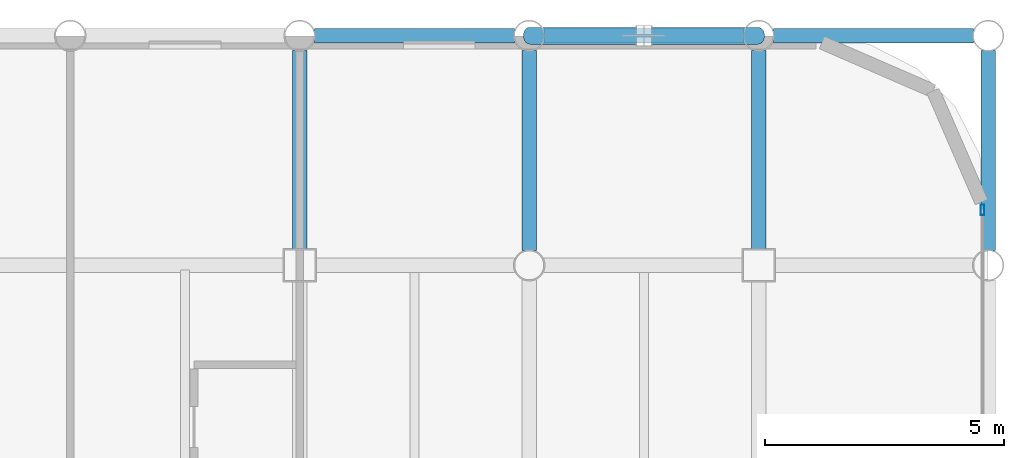
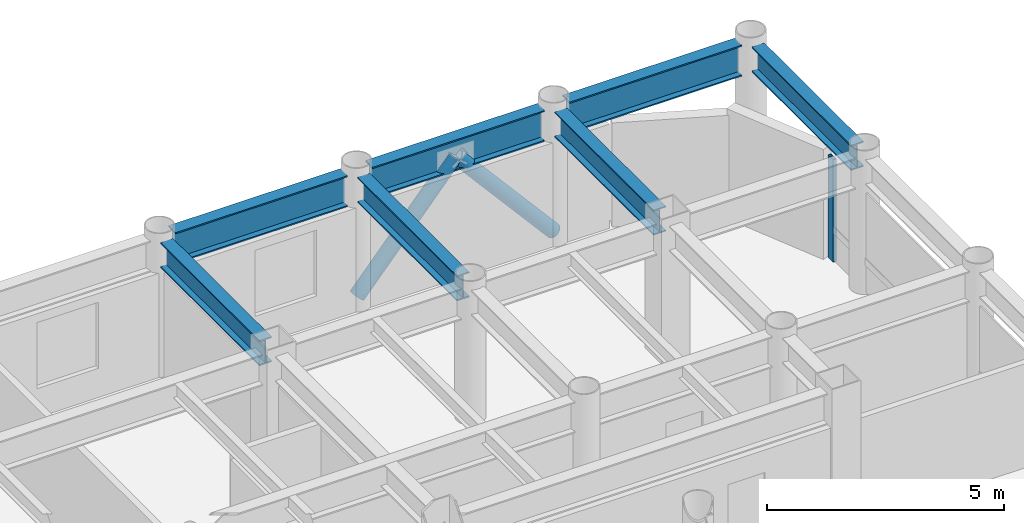
# One storey, part 14 of 20: 7 beams, 3 members, 1 element without a shape of its own.
"""IFC4 building model written with IfcOpenShell, lengths in metres."""

import ifcopenshell
import ifcopenshell.guid

model = None  # the IFC model being written
_history = None  # IfcOwnerHistory: only IFC2X3 demands one
_inside = {}  # id of a spatial element -> (the spatial element, [elements in it])
_under = {}  # id of a project, library or spatial element -> (it, [spatial elements below it])
_declared = {}  # id of a project -> (the project, [libraries it declares])
_typed = {}  # id of a type object -> (the type object, [elements of that type])
_made_of = {}  # id of a material, layer set ... -> (it, [elements and type objects made of it])


def new_model(schema):
    """Start an empty IFC model of exactly this schema.

    Asked for "IFC4X3", IfcOpenShell would pick the latest addendum, in which some entities
    have other attributes; the version numbers below select the first issue.
    IFC2X3 requires an IfcOwnerHistory on every rooted entity: one is made here for all.
    """
    global model, _history
    if schema == "IFC4X3":
        model = ifcopenshell.file(schema_version=(4, 3, 0, 0))
    else:
        model = ifcopenshell.file(schema=schema)
    _inside.clear()
    _under.clear()
    _declared.clear()
    _typed.clear()
    _made_of.clear()
    _history = None
    if model.schema == "IFC2X3":
        org = make("IfcOrganization", Name="unknown")
        user = make(
            "IfcPersonAndOrganization",
            ThePerson=make("IfcPerson", FamilyName="unknown"),
            TheOrganization=org,
        )
        app = make(
            "IfcApplication",
            ApplicationDeveloper=org,
            Version="unknown",
            ApplicationFullName="unknown",
            ApplicationIdentifier="unknown",
        )
        _history = make(
            "IfcOwnerHistory",
            OwningUser=user,
            OwningApplication=app,
            ChangeAction="ADDED",
            CreationDate=0,
        )
    return model


def make(cls, **values):
    """One entity of the class cls with the attributes given. An attribute that is None is left unset."""
    return model.create_entity(
        cls, **{name: value for name, value in values.items() if value is not None}
    )


def rooted(cls, **values):
    """An entity with a GlobalId (a new one), such as an element, a storey or a relation."""
    return make(cls, GlobalId=ifcopenshell.guid.new(), OwnerHistory=_history, **values)


def si_unit(unit_type, name, prefix=None):
    """IfcSIUnit, for example si_unit("LENGTHUNIT", "METRE", prefix="MILLI")."""
    return make("IfcSIUnit", UnitType=unit_type, Prefix=prefix, Name=name)


def assignment(units):
    """IfcUnitAssignment: the units of a project."""
    return None if units is None else make("IfcUnitAssignment", Units=units)


def point(xyz):
    """IfcCartesianPoint."""
    return None if xyz is None else make("IfcCartesianPoint", Coordinates=xyz)


def direction(xyz):
    """IfcDirection."""
    return None if xyz is None else make("IfcDirection", DirectionRatios=xyz)


def frame(location, z_axis=None, x_axis=None):
    """IfcAxis2Placement3D, a coordinate frame: its origin and axes. An axis left out is left unset."""
    return make(
        "IfcAxis2Placement3D",
        Location=point(location),
        Axis=direction(z_axis),
        RefDirection=direction(x_axis),
    )


def frame_2d(location, x_axis=None):
    """IfcAxis2Placement2D, a coordinate frame in the plane: its origin and x axis."""
    return make(
        "IfcAxis2Placement2D", Location=point(location), RefDirection=direction(x_axis)
    )


def origin():
    """The frame at (0, 0, 0) with its axes left unset."""
    return frame((0.0, 0.0, 0.0))


def origin_2d():
    """The frame at (0, 0) in the plane with its x axis left unset."""
    return frame_2d((0.0, 0.0))


def place(relative_to, where):
    """IfcLocalPlacement: puts the frame where relative to a parent placement (None: the world)."""
    return make(
        "IfcLocalPlacement", PlacementRelTo=relative_to, RelativePlacement=where
    )


def context(
    kind, dimensions, precision=None, world=None, true_north=None, identifier=None
):
    """IfcGeometricRepresentationContext, for example the 3D "Model" context."""
    return make(
        "IfcGeometricRepresentationContext",
        ContextIdentifier=identifier,
        ContextType=kind,
        CoordinateSpaceDimension=dimensions,
        Precision=precision,
        WorldCoordinateSystem=world,
        TrueNorth=true_north,
    )


def subcontext(parent, identifier, kind, view, scale=None):
    """IfcGeometricRepresentationSubContext, for example "Body" below "Model"."""
    return make(
        "IfcGeometricRepresentationSubContext",
        ContextIdentifier=identifier,
        ContextType=kind,
        ParentContext=parent,
        TargetScale=scale,
        TargetView=view,
    )


def project(units=None, contexts=None):
    """IfcProject with its units and contexts."""
    return rooted(
        "IfcProject",
        Name="project",
        RepresentationContexts=contexts,
        UnitsInContext=assignment(units),
    )


def spatial(cls, under=None, at=None, **own):
    """A site, building, storey or space (cls), placed at a placement, below another one or the project."""
    s = rooted(cls, ObjectPlacement=at, **own)
    if under is not None:
        _under.setdefault(under.id(), (under, []))[1].append(s)
    return s


def profile(cls, at=None, kind="AREA", **sizes):
    """A parametric profile (cls). Its sizes go by their IFC names, for example OverallWidth=200.0."""
    return make(cls, ProfileType=kind, Position=at, **sizes)


def hollow_rectangle(**sizes):
    """IfcRectangleHollowProfileDef."""
    return profile("IfcRectangleHollowProfileDef", **sizes)


def hollow_circle(**sizes):
    """IfcCircleHollowProfileDef."""
    return profile("IfcCircleHollowProfileDef", **sizes)


def i_section(**sizes):
    """IfcIShapeProfileDef."""
    return profile("IfcIShapeProfileDef", **sizes)


def extrude(swept, where, along, depth):
    """IfcExtrudedAreaSolid: the profile swept, set in the frame where, extruded along a direction by depth."""
    return make(
        "IfcExtrudedAreaSolid",
        SweptArea=swept,
        Position=where,
        ExtrudedDirection=direction(along),
        Depth=depth,
    )


def shape(context_of_items, identifier, shape_type, items):
    """IfcShapeRepresentation: the items that make up one representation, for example the "Body"."""
    return make(
        "IfcShapeRepresentation",
        ContextOfItems=context_of_items,
        RepresentationIdentifier=identifier,
        RepresentationType=shape_type,
        Items=items,
    )


def material(Name=None, Category=None):
    """IfcMaterial."""
    return make("IfcMaterial", Name=Name, Category=Category)


def layer(
    of_material, thickness, ventilated=None, Name=None, Category=None, Priority=None
):
    """IfcMaterialLayer: one layer of a wall or slab, of a material (None: an air gap)."""
    return make(
        "IfcMaterialLayer",
        Material=of_material,
        LayerThickness=thickness,
        IsVentilated=ventilated,
        Name=Name,
        Category=Category,
        Priority=Priority,
    )


def layer_set(layers, Name=None):
    """IfcMaterialLayerSet."""
    return make("IfcMaterialLayerSet", MaterialLayers=layers, LayerSetName=Name)


def material_profile(
    of_material, cross_section, Name=None, Category=None, Priority=None
):
    """IfcMaterialProfile: a cross section and its material."""
    return make(
        "IfcMaterialProfile",
        Name=Name,
        Material=of_material,
        Profile=cross_section,
        Priority=Priority,
        Category=Category,
    )


def profile_set(profiles, Name=None, composite=None):
    """IfcMaterialProfileSet."""
    return make(
        "IfcMaterialProfileSet",
        Name=Name,
        MaterialProfiles=profiles,
        CompositeProfile=composite,
    )


def made_of(thing, what):
    """Note that an element or type object is made of a material, layer set ...; save() writes the relation."""
    if what is not None:
        _made_of.setdefault(what.id(), (what, []))[1].append(thing)
    return thing


def type_object(cls, material=None, **own):
    """A type object (cls), such as IfcWallType, which elements share."""
    return made_of(rooted(cls, **own), material)


def element(
    cls,
    number,
    at=None,
    inside=None,
    cuts=None,
    type_object=None,
    material=None,
    context=None,
    identifier="Body",
    shape_type=None,
    held_by="IfcProductDefinitionShape",
    body=None,
    shapes=None,
    **own,
):
    """One element of the class cls, such as IfcWall. Its Tag is "e" and its number.

    at: its placement. inside: the storey or other place that contains it. cuts: it is an
    opening in that element (IfcRelVoidsElement). A single representation is given by context,
    identifier, shape_type and body (its items); several are given by shapes. held_by: the class
    of the entity that holds the representations. save() writes the other relations.
    """
    e = rooted(cls, Tag="e%d" % number, ObjectPlacement=at, **own)
    if body is not None:
        shapes = [shape(context, identifier, shape_type, body)]
    if shapes is not None:
        e.Representation = make(held_by, Representations=shapes)
    if inside is not None:
        _inside.setdefault(inside.id(), (inside, []))[1].append(e)
    if cuts is not None:
        rooted(
            "IfcRelVoidsElement", RelatingBuildingElement=cuts, RelatedOpeningElement=e
        )
    if type_object is not None:
        _typed.setdefault(type_object.id(), (type_object, []))[1].append(e)
    return made_of(e, material)


def aggregate(whole, parts):
    """IfcRelAggregates: a whole, such as a stair, and the parts it consists of."""
    return rooted("IfcRelAggregates", RelatingObject=whole, RelatedObjects=parts)


def save(model, path):
    """Write the relations noted so far, then the file.

    IfcRelAggregates (storeys below a building ...), IfcRelContainedInSpatialStructure (elements
    in a storey), IfcRelDefinesByType, IfcRelAssociatesMaterial and IfcRelDeclares: one each for
    every whole, place, type object, material and project.
    """
    for whole, parts in _under.values():
        aggregate(whole, parts)
    for where, things in _inside.values():
        rooted(
            "IfcRelContainedInSpatialStructure",
            RelatedElements=things,
            RelatingStructure=where,
        )
    for kind, things in _typed.values():
        rooted("IfcRelDefinesByType", RelatedObjects=things, RelatingType=kind)
    for what, things in _made_of.values():
        rooted("IfcRelAssociatesMaterial", RelatedObjects=things, RelatingMaterial=what)
    for by, libraries in _declared.values():
        rooted("IfcRelDeclares", RelatingContext=by, RelatedDefinitions=libraries)
    model.write(path)


model = new_model("IFC4")

# Units and contexts
model_context = context("Model", 3, precision=1e-05, world=origin(), true_north=direction((0.0, 1.0)))
body_context = subcontext(model_context, "Body", "Model", "MODEL_VIEW")
ifc_project = project(units=[si_unit("LENGTHUNIT", "METRE"), si_unit("AREAUNIT", "SQUARE_METRE"), si_unit("VOLUMEUNIT", "CUBIC_METRE"), si_unit("PLANEANGLEUNIT", "RADIAN"), si_unit("MASSUNIT", "GRAM", prefix="KILO")], contexts=[model_context])

# Site, building, storey
site_placement = place(None, origin())
site = spatial("IfcSite", under=ifc_project, at=site_placement, CompositionType="ELEMENT")
building_placement = place(site_placement, origin())
building = spatial("IfcBuilding", under=site, at=building_placement, Name="Kallvorn Hotel Tower", CompositionType="ELEMENT")
storey_placement = place(building_placement, frame((0.0, 0.0, 176.60009765625)))
storey = spatial("IfcBuildingStorey", under=building, at=storey_placement, Name="L44", CompositionType="ELEMENT", Elevation=176.60009765625)

# Beams
ifc_material_1 = material(Name="Structural steel S355JR", Category="steel")
ifc_material_profile_1 = material_profile(ifc_material_1, i_section(OverallWidth=0.300048828125, OverallDepth=0.64990234375, WebThickness=0.01611328125, FlangeThickness=0.031005859375, at=origin_2d()), Name="HE 650 B")
ifc_profile_set_1 = profile_set([ifc_material_profile_1], Name="Structural steel S355JR")
beam_type_1 = type_object("IfcBeamType", Name="BM_HE650B", PredefinedType="BEAM", material=ifc_profile_set_1)
beam_1_placement = place(storey_placement, frame((14.39990234375, 14.72509765625, 3.15478515625), z_axis=(0.0, 1.0, 0.0), x_axis=(-1.0, 0.0, 0.0)))
element("IfcBeam", 1, at=beam_1_placement, inside=storey, type_object=beam_type_1, Name="L45 Primary Y-Girder 126", PredefinedType="BEAM", context=body_context, shape_type="SweptSolid", body=[
    extrude(i_section(OverallWidth=0.300048828125, OverallDepth=0.64990234375, WebThickness=0.01611328125, FlangeThickness=0.031005859375, at=origin_2d()), origin(), (0.0, 0.0, 1.0), 4.169921875),
])
beam_2_placement = place(storey_placement, frame((19.199951171875, 14.705078125, 3.15478515625), z_axis=(0.0, 1.0, 0.0), x_axis=(-1.0, 0.0, 0.0)))
element("IfcBeam", 2, at=beam_2_placement, inside=storey, type_object=beam_type_1, Name="L45 Primary Y-Girder 135", PredefinedType="BEAM", context=body_context, shape_type="SweptSolid", body=[
    extrude(i_section(OverallWidth=0.300048828125, OverallDepth=0.64990234375, WebThickness=0.01611328125, FlangeThickness=0.031005859375, at=origin_2d()), origin(), (0.0, 0.0, 1.0), 4.18994140625),
])
beam_3_placement = place(storey_placement, frame((24.0, 14.72509765625, 3.15478515625), z_axis=(0.0, 1.0, 0.0), x_axis=(-1.0, 0.0, 0.0)))
element("IfcBeam", 3, at=beam_3_placement, inside=storey, type_object=beam_type_1, Name="L45 Primary Y-Girder 142", PredefinedType="BEAM", context=body_context, shape_type="SweptSolid", body=[
    extrude(i_section(OverallWidth=0.300048828125, OverallDepth=0.64990234375, WebThickness=0.01611328125, FlangeThickness=0.031005859375, at=origin_2d()), origin(), (0.0, 0.0, 1.0), 4.169921875),
])
beam_4_placement = place(storey_placement, frame((28.800048828125, 14.705078125, 3.15478515625), z_axis=(0.0, 1.0, 0.0), x_axis=(-1.0, 0.0, 0.0)))
element("IfcBeam", 4, at=beam_4_placement, inside=storey, type_object=beam_type_1, Name="L45 Primary Y-Girder 150", PredefinedType="BEAM", context=body_context, shape_type="SweptSolid", body=[
    extrude(i_section(OverallWidth=0.300048828125, OverallDepth=0.64990234375, WebThickness=0.01611328125, FlangeThickness=0.031005859375, at=origin_2d()), origin(), (0.0, 0.0, 1.0), 4.18994140625),
])
ifc_material_2 = material(Name="Structural steel S355JR", Category="steel")
ifc_material_profile_2 = material_profile(ifc_material_2, i_section(OverallWidth=0.300048828125, OverallDepth=0.800048828125, WebThickness=0.017578125, FlangeThickness=0.032958984375, at=origin_2d()), Name="HE 800 B")
ifc_profile_set_2 = profile_set([ifc_material_profile_2], Name="Structural steel S355JR")
beam_type_2 = type_object("IfcBeamType", Name="BM_HE800B", PredefinedType="BEAM", material=ifc_profile_set_2)
beam_5_placement = place(storey_placement, frame((14.705078125, 19.199951171875, 3.079833984375), z_axis=(1.0, 0.0, 0.0), x_axis=(0.0, 1.0, 0.0)))
element("IfcBeam", 5, at=beam_5_placement, inside=storey, type_object=beam_type_2, Name="L45 Primary X-Girder 70", PredefinedType="BEAM", context=body_context, shape_type="SweptSolid", body=[
    extrude(i_section(OverallWidth=0.300048828125, OverallDepth=0.800048828125, WebThickness=0.017578125, FlangeThickness=0.032958984375, at=origin_2d()), origin(), (0.0, 0.0, 1.0), 4.18994140625),
])
for number, where, z_axis, x_axis, name in (
    (6, (19.5048828125, 19.199951171875, 3.079833984375), (1.0, 0.0, 0.0), (0.0, 1.0, 0.0), "L45 Primary X-Girder 71"),
    (7, (24.304931640625, 19.199951171875, 3.079833984375), (1.0, 0.0, 0.0), (0.0, 1.0, 0.0), "L45 Primary X-Girder 72"),
):
    element("IfcBeam", number, at=place(storey_placement, frame(where, z_axis=z_axis, x_axis=x_axis)), inside=storey, type_object=beam_type_2, Name=name, PredefinedType="BEAM", context=body_context, shape_type="SweptSolid", body=[
        extrude(i_section(OverallWidth=0.300048828125, OverallDepth=0.800048828125, WebThickness=0.017578125, FlangeThickness=0.032958984375, at=origin_2d()), origin(), (0.0, 0.0, 1.0), 4.190185546875),
    ])

# Curtain wall, member
ifc_material_3 = material(Name="Thermally broken black-anodised aluminium AA 6063-T6", Category="aluminium")
ifc_layer = layer(ifc_material_3, 0.2099609375)
ifc_layer_set = layer_set([ifc_layer], Name="CW_SYS_4_HOTEL_MID")
curtain_wall_type = type_object("IfcCurtainWallType", Name="CW_SYS_4_HOTEL_MID", PredefinedType="USERDEFINED", material=ifc_layer_set)
curtain_wall_placement = place(storey_placement, origin())
curtain_wall = element("IfcCurtainWall", 8, at=curtain_wall_placement, inside=storey, type_object=curtain_wall_type, Name="L44 Dark-Glass Curtain Wall CW-L44-EN", ObjectType="UNITISED CURTAIN WALL", PredefinedType="USERDEFINED")
ifc_material_4 = material(Name="Thermally broken black-anodised aluminium AA 6063-T6", Category="aluminium")
ifc_material_profile_3 = material_profile(ifc_material_4, hollow_rectangle(XDim=0.080078125, YDim=0.219970703125, WallThickness=0.0048828125, at=origin_2d()), Name="MUL 220x80")
ifc_profile_set_3 = profile_set([ifc_material_profile_3], Name="Thermally broken black-anodised aluminium AA 6063-T6")
member_type_1 = type_object("IfcMemberType", Name="CW_MULLION_220x80", PredefinedType="MULLION", material=ifc_profile_set_3)
member_placement = place(storey_placement, frame((28.679931640625, 15.56005859375, 0.02001953125), z_axis=(0.0, 0.0, 1.0), x_axis=(1.0, 0.0, 0.0)))
member = element("IfcMember", 9, at=member_placement, type_object=member_type_1, Name="CW-L44-EN Mullion 01", PredefinedType="MULLION", context=body_context, shape_type="SweptSolid", body=[
    extrude(hollow_rectangle(XDim=0.080078125, YDim=0.219970703125, WallThickness=0.0048828125, at=origin_2d()), origin(), (0.0, 0.0, 1.0), 2.639892578125),
])
aggregate(curtain_wall, [member])

# Members
ifc_material_5 = material(Name="Structural steel S355J2H", Category="steel")
ifc_material_profile_4 = material_profile(ifc_material_5, hollow_circle(Radius=0.177734375, WallThickness=0.01416015625, at=origin_2d()), Name="CHS 355.6x14.2")
ifc_profile_set_4 = profile_set([ifc_material_profile_4], Name="Structural steel S355J2H")
member_type_2 = type_object("IfcMemberType", Name="MBR_EXO_CHS355", PredefinedType="BRACE", material=ifc_profile_set_4)
for number, where, z_axis, x_axis, name in (
    (10, (19.212890625, 19.199951171875, 0.195068359375), (0.65217111297, 0.0, 0.758071790405), (0.0, 1.0, 0.0), "L44 Exoskeleton K-Brace N2A"),
    (11, (23.987060546875, 19.199951171875, 0.195068359375), (-0.65217111297, 0.0, 0.758071790405), (0.0, -1.0, 0.0), "L44 Exoskeleton K-Brace N2B"),
):
    element("IfcMember", number, at=place(storey_placement, frame(where, z_axis=z_axis, x_axis=x_axis)), inside=storey, type_object=member_type_2, Name=name, PredefinedType="BRACE", context=body_context, shape_type="SweptSolid", body=[
        extrude(hollow_circle(Radius=0.177734375, WallThickness=0.01416015625, at=origin_2d()), origin(), (0.0, 0.0, 1.0), 3.64013671875),
    ])

save(model, "model.ifc")
